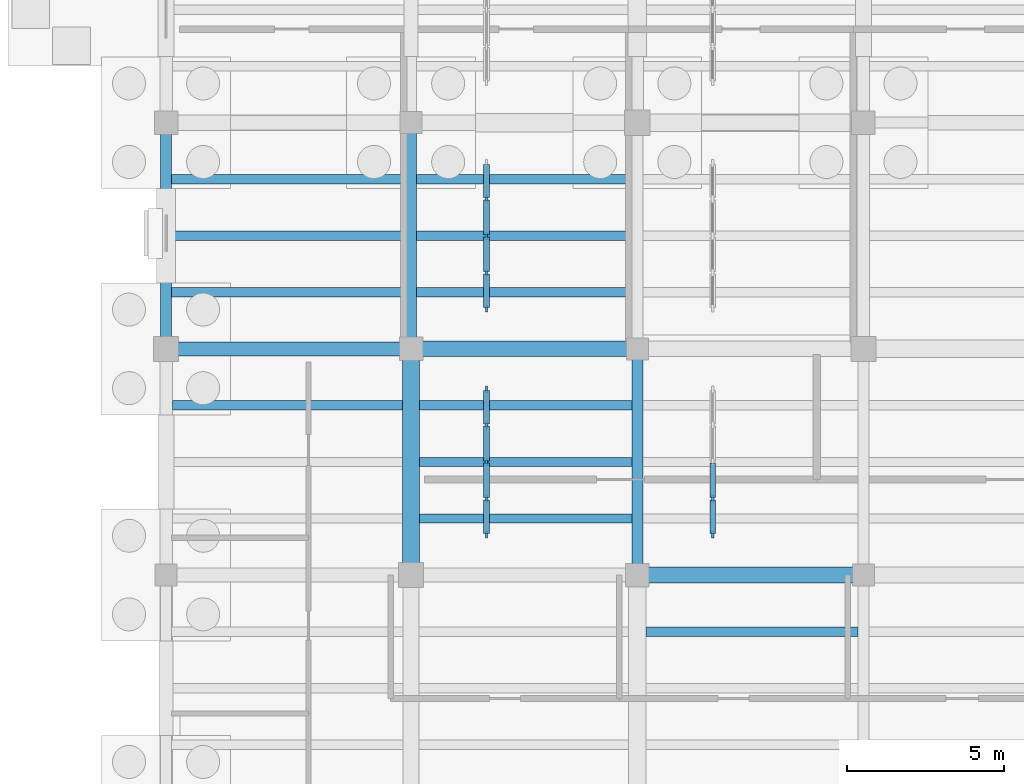
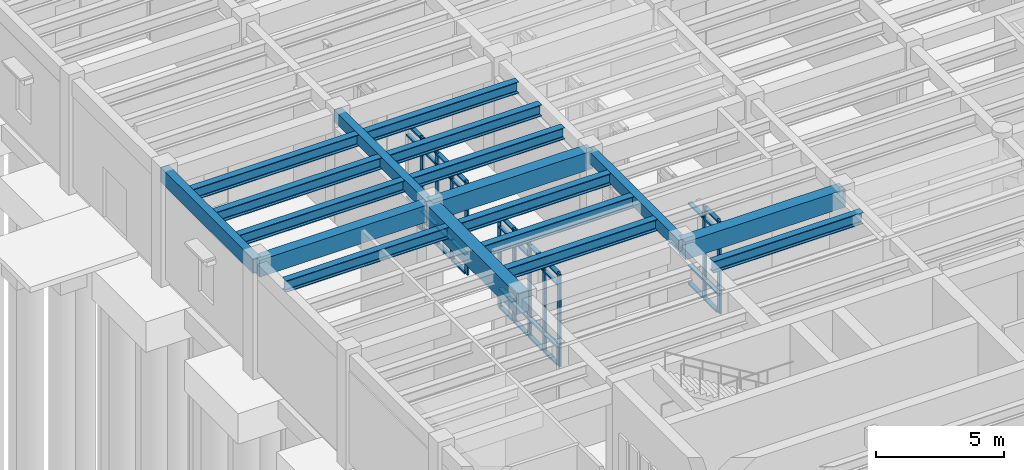
# One storey, part 22 of 100: 50 members, 18 beams, 3 elements without a shape of their own.
"""IFC4 building model written with IfcOpenShell, lengths in metres."""

from ifc_helpers import new_model, si_unit, direction, frame, origin, origin_2d, place, context, subcontext, project, spatial, rectangle, i_section, extrude, material, material_profile, profile_set, type_object, element, aggregate, save


model = new_model("IFC4")

# Units and contexts
model_context = context("Model", 3, precision=1e-05, world=origin(), true_north=direction((0.0, 1.0)))
body_context = subcontext(model_context, "Body", "Model", "MODEL_VIEW")
ifc_project = project(units=[si_unit("LENGTHUNIT", "METRE"), si_unit("AREAUNIT", "SQUARE_METRE"), si_unit("VOLUMEUNIT", "CUBIC_METRE"), si_unit("PLANEANGLEUNIT", "RADIAN"), si_unit("MASSUNIT", "GRAM", prefix="KILO")], contexts=[model_context])

# Site, building, storey
site_placement = place(None, origin())
site = spatial("IfcSite", under=ifc_project, at=site_placement, CompositionType="ELEMENT")
building_placement = place(site_placement, origin())
building = spatial("IfcBuilding", under=site, at=building_placement, Name="Mithqara Police Headquarters", CompositionType="ELEMENT")
storey_placement = place(building_placement, origin())
storey = spatial("IfcBuildingStorey", under=building, at=storey_placement, Name="L00", CompositionType="ELEMENT", Elevation=0.0)

# Beams
ifc_material_1 = material(Name="Steel S355JR", Category="steel")
ifc_material_profile_1 = material_profile(ifc_material_1, i_section(OverallWidth=0.300048828125, OverallDepth=0.550048828125, WebThickness=0.014892578125, FlangeThickness=0.029052734375, FilletRadius=0.027099609375, at=origin_2d()), Name="HEB 550")
ifc_profile_set_1 = profile_set([ifc_material_profile_1], Name="Steel S355JR")
beam_type_1 = type_object("IfcBeamType", Name="BEAM HEB550", PredefinedType="BEAM", material=ifc_profile_set_1)
beam_1_placement = place(storey_placement, frame((0.199951171875, 84.0, 4.844970703125), z_axis=(1.0, 0.0, 0.0), x_axis=(0.0, 1.0, 0.0)))
element("IfcBeam", 1, at=beam_1_placement, inside=storey, type_object=beam_type_1, Name="L00 Composite Steel Joist 1-2/M.3", PredefinedType="BEAM", context=body_context, shape_type="SweptSolid", body=[
    extrude(i_section(OverallWidth=0.300048828125, OverallDepth=0.550048828125, WebThickness=0.014892578125, FlangeThickness=0.029052734375, FilletRadius=0.027099609375, at=origin_2d()), origin(), (0.0, 0.0, 1.0), 7.324951171875),
])
for number, where, z_axis, x_axis, name in (
    (2, (0.175048828125, 87.60009765625, 4.844970703125), (1.0, 0.0, 0.0), (0.0, 1.0, 0.0), "L00 Composite Steel Joist 1-2/N.1"),
    (3, (0.175048828125, 89.39990234375, 4.844970703125), (1.0, 0.0, 0.0), (0.0, 1.0, 0.0), "L00 Composite Steel Joist 1-2/N.2"),
    (4, (0.175048828125, 91.199951171875, 4.844970703125), (1.0, 0.0, 0.0), (0.0, 1.0, 0.0), "L00 Composite Steel Joist 1-2/N.3"),
):
    element("IfcBeam", number, at=place(storey_placement, frame(where, z_axis=z_axis, x_axis=x_axis)), inside=storey, type_object=beam_type_1, Name=name, PredefinedType="BEAM", context=body_context, shape_type="SweptSolid", body=[
        extrude(i_section(OverallWidth=0.300048828125, OverallDepth=0.550048828125, WebThickness=0.014892578125, FlangeThickness=0.029052734375, FilletRadius=0.027099609375, at=origin_2d()), origin(), (0.0, 0.0, 1.0), 7.449951171875),
    ])
for number, where, z_axis, x_axis, name in (
    (5, (8.074951171875, 80.39990234375, 4.844970703125), (1.0, 0.0, 0.0), (0.0, 1.0, 0.0), "L00 Composite Steel Joist 2-3/M.1"),
    (6, (8.074951171875, 82.199951171875, 4.844970703125), (1.0, 0.0, 0.0), (0.0, 1.0, 0.0), "L00 Composite Steel Joist 2-3/M.2"),
    (7, (8.074951171875, 84.0, 4.844970703125), (1.0, 0.0, 0.0), (0.0, 1.0, 0.0), "L00 Composite Steel Joist 2-3/M.3"),
):
    element("IfcBeam", number, at=place(storey_placement, frame(where, z_axis=z_axis, x_axis=x_axis)), inside=storey, type_object=beam_type_1, Name=name, PredefinedType="BEAM", context=body_context, shape_type="SweptSolid", body=[
        extrude(i_section(OverallWidth=0.300048828125, OverallDepth=0.550048828125, WebThickness=0.014892578125, FlangeThickness=0.029052734375, FilletRadius=0.027099609375, at=origin_2d()), origin(), (0.0, 0.0, 1.0), 6.75),
    ])
for number, where, z_axis, x_axis, name in (
    (8, (7.97509765625, 87.60009765625, 4.844970703125), (1.0, 0.0, 0.0), (0.0, 1.0, 0.0), "L00 Composite Steel Joist 2-3/N.1"),
    (9, (7.97509765625, 89.39990234375, 4.844970703125), (1.0, 0.0, 0.0), (0.0, 1.0, 0.0), "L00 Composite Steel Joist 2-3/N.2"),
    (10, (7.97509765625, 91.199951171875, 4.844970703125), (1.0, 0.0, 0.0), (0.0, 1.0, 0.0), "L00 Composite Steel Joist 2-3/N.3"),
):
    element("IfcBeam", number, at=place(storey_placement, frame(where, z_axis=z_axis, x_axis=x_axis)), inside=storey, type_object=beam_type_1, Name=name, PredefinedType="BEAM", context=body_context, shape_type="SweptSolid", body=[
        extrude(i_section(OverallWidth=0.300048828125, OverallDepth=0.550048828125, WebThickness=0.014892578125, FlangeThickness=0.029052734375, FilletRadius=0.027099609375, at=origin_2d()), origin(), (0.0, 0.0, 1.0), 6.849853515625),
    ])
beam_2_placement = place(storey_placement, frame((15.27490234375, 76.800048828125, 4.844970703125), z_axis=(1.0, 0.0, 0.0), x_axis=(0.0, 1.0, 0.0)))
element("IfcBeam", 11, at=beam_2_placement, inside=storey, type_object=beam_type_1, Name="L00 Composite Steel Joist 3-4/L.3", PredefinedType="BEAM", context=body_context, shape_type="SweptSolid", body=[
    extrude(i_section(OverallWidth=0.300048828125, OverallDepth=0.550048828125, WebThickness=0.014892578125, FlangeThickness=0.029052734375, FilletRadius=0.027099609375, at=origin_2d()), origin(), (0.0, 0.0, 1.0), 6.75),
])
ifc_material_2 = material(Name="Concrete C40/50", Category="concrete")
ifc_material_profile_2 = material_profile(ifc_material_2, rectangle(XDim=0.35009765625, YDim=0.550048828125, at=origin_2d()), Name="RC 350x550")
ifc_profile_set_2 = profile_set([ifc_material_profile_2], Name="Concrete C40/50")
beam_type_2 = type_object("IfcBeamType", Name="BEAM RC350X550", PredefinedType="BEAM", material=ifc_profile_set_2)
for number, where, z_axis, x_axis, name in (
    (12, (7.800048828125, 85.800048828125, 4.844970703125), (0.0, 1.0, 0.0), (-1.0, 0.0, 0.0), "L00 Girder 2/N-P"),
    (13, (15.0, 78.60009765625, 4.844970703125), (0.0, 1.0, 0.0), (-1.0, 0.0, 0.0), "L00 Girder 3/M-N"),
):
    element("IfcBeam", number, at=place(storey_placement, frame(where, z_axis=z_axis, x_axis=x_axis)), inside=storey, type_object=beam_type_2, Name=name, PredefinedType="BEAM", context=body_context, shape_type="SweptSolid", body=[
        extrude(rectangle(XDim=0.35009765625, YDim=0.550048828125, at=origin_2d()), origin(), (0.0, 0.0, 1.0), 7.199951171875),
    ])
ifc_material_profile_3 = material_profile(ifc_material_2, rectangle(XDim=0.449951171875, YDim=0.800048828125, at=origin_2d()), Name="RC 450x800")
ifc_profile_set_3 = profile_set([ifc_material_profile_3], Name="Concrete C40/50")
beam_type_3 = type_object("IfcBeamType", Name="BEAM RC450X800", PredefinedType="BEAM", material=ifc_profile_set_3)
beam_3_placement = place(storey_placement, frame((0.0, 85.800048828125, 4.719970703125), z_axis=(1.0, 0.0, 0.0), x_axis=(0.0, 1.0, 0.0)))
element("IfcBeam", 14, at=beam_3_placement, inside=storey, type_object=beam_type_3, Name="L00 Girder 1-2/N", PredefinedType="BEAM", context=body_context, shape_type="SweptSolid", body=[
    extrude(rectangle(XDim=0.449951171875, YDim=0.800048828125, at=origin_2d()), origin(), (0.0, 0.0, 1.0), 7.800048828125),
])
ifc_material_profile_4 = material_profile(ifc_material_2, rectangle(XDim=0.5, YDim=0.85009765625, at=origin_2d()), Name="RC 500x850")
ifc_profile_set_4 = profile_set([ifc_material_profile_4], Name="Concrete C40/50")
beam_type_4 = type_object("IfcBeamType", Name="BEAM RC500X850", PredefinedType="BEAM", material=ifc_profile_set_4)
for number, where, z_axis, x_axis, name in (
    (15, (7.800048828125, 85.800048828125, 4.695068359375), (1.0, 0.0, 0.0), (0.0, 1.0, 0.0), "L00 Girder 2-3/N"),
    (16, (15.0, 78.60009765625, 4.695068359375), (1.0, 0.0, 0.0), (0.0, 1.0, 0.0), "L00 Girder 3-4/M"),
):
    element("IfcBeam", number, at=place(storey_placement, frame(where, z_axis=z_axis, x_axis=x_axis)), inside=storey, type_object=beam_type_4, Name=name, PredefinedType="BEAM", context=body_context, shape_type="SweptSolid", body=[
        extrude(rectangle(XDim=0.5, YDim=0.85009765625, at=origin_2d()), origin(), (0.0, 0.0, 1.0), 7.199951171875),
    ])
ifc_material_3 = material(Name="Concrete C50/60", Category="concrete")
ifc_material_profile_5 = material_profile(ifc_material_3, rectangle(XDim=0.550048828125, YDim=1.0, at=origin_2d()), Name="RC 550x1000")
ifc_profile_set_5 = profile_set([ifc_material_profile_5], Name="Concrete C50/60")
beam_type_5 = type_object("IfcBeamType", Name="BEAM RC550X1000", PredefinedType="BEAM", material=ifc_profile_set_5)
beam_4_placement = place(storey_placement, frame((7.800048828125, 78.60009765625, 4.6201171875), z_axis=(0.0, 1.0, 0.0), x_axis=(-1.0, 0.0, 0.0)))
element("IfcBeam", 17, at=beam_4_placement, inside=storey, type_object=beam_type_5, Name="L00 Girder 2/M-N", PredefinedType="BEAM", context=body_context, shape_type="SweptSolid", body=[
    extrude(rectangle(XDim=0.550048828125, YDim=1.0, at=origin_2d()), origin(), (0.0, 0.0, 1.0), 7.199951171875),
])

# Curtain wall, members
ifc_material_4 = material(Name="Bronze anodised aluminium 6063-T6", Category="aluminium")
curtain_wall_type = type_object("IfcCurtainWallType", Name="CURTAIN WALL 4700X4400", PredefinedType="USERDEFINED", material=ifc_material_4)
curtain_wall_1_placement = place(storey_placement, origin())
curtain_wall_1 = element("IfcCurtainWall", 18, at=curtain_wall_1_placement, inside=storey, type_object=curtain_wall_type, Name="L00 Unitised Glazing CW-14 (CW-INT-L00-X01-Y11-0)", ObjectType="UNITISED GLAZING", PredefinedType="USERDEFINED")
ifc_material_profile_6 = material_profile(ifc_material_4, rectangle(XDim=0.074951171875, YDim=0.219970703125, at=origin_2d()), Name="CWM 75x220")
ifc_profile_set_6 = profile_set([ifc_material_profile_6], Name="Bronze anodised aluminium 6063-T6")
member_type_1 = type_object("IfcMemberType", Name="CWMULLION 75X220", PredefinedType="MULLION", material=ifc_profile_set_6)
member_1_placement = place(storey_placement, frame((10.199951171875, 79.887451171875, 0.0), z_axis=(0.0, 0.0, 1.0), x_axis=(-1.0, 0.0, 0.0)))
member_1 = element("IfcMember", 19, at=member_1_placement, type_object=member_type_1, Name="CW-14 mullion 1", PredefinedType="MULLION", context=body_context, shape_type="SweptSolid", body=[
    extrude(rectangle(XDim=0.074951171875, YDim=0.219970703125, at=origin_2d()), origin(), (0.0, 0.0, 1.0), 4.39990234375),
])
member_2_placement = place(storey_placement, frame((10.199951171875, 81.02490234375, 0.0), z_axis=(0.0, 0.0, 1.0), x_axis=(-1.0, 0.0, 0.0)))
member_2 = element("IfcMember", 20, at=member_2_placement, type_object=member_type_1, Name="CW-14 mullion 2", PredefinedType="MULLION", context=body_context, shape_type="SweptSolid", body=[
    extrude(rectangle(XDim=0.074951171875, YDim=0.219970703125, at=origin_2d()), origin(), (0.0, 0.0, 1.0), 4.39990234375),
])
member_3_placement = place(storey_placement, frame((10.199951171875, 82.199951171875, 0.0), z_axis=(0.0, 0.0, 1.0), x_axis=(-1.0, 0.0, 0.0)))
member_3 = element("IfcMember", 21, at=member_3_placement, type_object=member_type_1, Name="CW-14 mullion 3", PredefinedType="MULLION", context=body_context, shape_type="SweptSolid", body=[
    extrude(rectangle(XDim=0.074951171875, YDim=0.219970703125, at=origin_2d()), origin(), (0.0, 0.0, 1.0), 4.39990234375),
])
member_4_placement = place(storey_placement, frame((10.199951171875, 83.375, 0.0), z_axis=(0.0, 0.0, 1.0), x_axis=(-1.0, 0.0, 0.0)))
member_4 = element("IfcMember", 22, at=member_4_placement, type_object=member_type_1, Name="CW-14 mullion 4", PredefinedType="MULLION", context=body_context, shape_type="SweptSolid", body=[
    extrude(rectangle(XDim=0.074951171875, YDim=0.219970703125, at=origin_2d()), origin(), (0.0, 0.0, 1.0), 4.39990234375),
])
member_5_placement = place(storey_placement, frame((10.199951171875, 84.512451171875, 0.0), z_axis=(0.0, 0.0, 1.0), x_axis=(-1.0, 0.0, 0.0)))
member_5 = element("IfcMember", 23, at=member_5_placement, type_object=member_type_1, Name="CW-14 mullion 5", PredefinedType="MULLION", context=body_context, shape_type="SweptSolid", body=[
    extrude(rectangle(XDim=0.074951171875, YDim=0.219970703125, at=origin_2d()), origin(), (0.0, 0.0, 1.0), 4.39990234375),
])

curtain_wall_2_placement = place(storey_placement, origin())
curtain_wall_2 = element("IfcCurtainWall", 24, at=curtain_wall_2_placement, inside=storey, type_object=curtain_wall_type, Name="L00 Unitised Glazing CW-14 (CW-INT-L00-X01-Y12-0)", ObjectType="UNITISED GLAZING", PredefinedType="USERDEFINED")
member_6_placement = place(storey_placement, frame((10.199951171875, 87.08740234375, 0.0), z_axis=(0.0, 0.0, 1.0), x_axis=(-1.0, 0.0, 0.0)))
member_6 = element("IfcMember", 25, at=member_6_placement, type_object=member_type_1, Name="CW-14 mullion 1", PredefinedType="MULLION", context=body_context, shape_type="SweptSolid", body=[
    extrude(rectangle(XDim=0.074951171875, YDim=0.219970703125, at=origin_2d()), origin(), (0.0, 0.0, 1.0), 4.39990234375),
])
member_7_placement = place(storey_placement, frame((10.199951171875, 88.22509765625, 0.0), z_axis=(0.0, 0.0, 1.0), x_axis=(-1.0, 0.0, 0.0)))
member_7 = element("IfcMember", 26, at=member_7_placement, type_object=member_type_1, Name="CW-14 mullion 2", PredefinedType="MULLION", context=body_context, shape_type="SweptSolid", body=[
    extrude(rectangle(XDim=0.074951171875, YDim=0.219970703125, at=origin_2d()), origin(), (0.0, 0.0, 1.0), 4.39990234375),
])
member_8_placement = place(storey_placement, frame((10.199951171875, 89.39990234375, 0.0), z_axis=(0.0, 0.0, 1.0), x_axis=(-1.0, 0.0, 0.0)))
member_8 = element("IfcMember", 27, at=member_8_placement, type_object=member_type_1, Name="CW-14 mullion 3", PredefinedType="MULLION", context=body_context, shape_type="SweptSolid", body=[
    extrude(rectangle(XDim=0.074951171875, YDim=0.219970703125, at=origin_2d()), origin(), (0.0, 0.0, 1.0), 4.39990234375),
])
member_9_placement = place(storey_placement, frame((10.199951171875, 90.574951171875, 0.0), z_axis=(0.0, 0.0, 1.0), x_axis=(-1.0, 0.0, 0.0)))
member_9 = element("IfcMember", 28, at=member_9_placement, type_object=member_type_1, Name="CW-14 mullion 4", PredefinedType="MULLION", context=body_context, shape_type="SweptSolid", body=[
    extrude(rectangle(XDim=0.074951171875, YDim=0.219970703125, at=origin_2d()), origin(), (0.0, 0.0, 1.0), 4.39990234375),
])

curtain_wall_3_placement = place(storey_placement, origin())
curtain_wall_3 = element("IfcCurtainWall", 29, at=curtain_wall_3_placement, inside=storey, type_object=curtain_wall_type, Name="L00 Unitised Glazing CW-14 (CW-INT-L00-X02-Y11-0)", ObjectType="UNITISED GLAZING", PredefinedType="USERDEFINED")
member_10_placement = place(storey_placement, frame((17.39990234375, 79.887451171875, 0.0), z_axis=(0.0, 0.0, 1.0), x_axis=(-1.0, 0.0, 0.0)))
member_10 = element("IfcMember", 30, at=member_10_placement, type_object=member_type_1, Name="CW-14 mullion 1", PredefinedType="MULLION", context=body_context, shape_type="SweptSolid", body=[
    extrude(rectangle(XDim=0.074951171875, YDim=0.219970703125, at=origin_2d()), origin(), (0.0, 0.0, 1.0), 4.39990234375),
])
member_11_placement = place(storey_placement, frame((17.39990234375, 81.02490234375, 0.0), z_axis=(0.0, 0.0, 1.0), x_axis=(-1.0, 0.0, 0.0)))
member_11 = element("IfcMember", 31, at=member_11_placement, type_object=member_type_1, Name="CW-14 mullion 2", PredefinedType="MULLION", context=body_context, shape_type="SweptSolid", body=[
    extrude(rectangle(XDim=0.074951171875, YDim=0.219970703125, at=origin_2d()), origin(), (0.0, 0.0, 1.0), 4.39990234375),
])

# Member
ifc_material_profile_7 = material_profile(ifc_material_4, rectangle(XDim=0.179931640625, YDim=0.074951171875, at=origin_2d()), Name="CWT 180x75")
ifc_profile_set_7 = profile_set([ifc_material_profile_7], Name="Bronze anodised aluminium 6063-T6")
member_type_2 = type_object("IfcMemberType", Name="CWTRANSOM 180X75", PredefinedType="USERDEFINED", material=ifc_profile_set_7)
member_12_placement = place(storey_placement, frame((10.199951171875, 79.925048828125, 0.03759765625), z_axis=(0.0, 1.0, 0.0), x_axis=(-1.0, 0.0, 0.0)))
member_12 = element("IfcMember", 32, at=member_12_placement, type_object=member_type_2, Name="CW-14 transom 1.1", ObjectType="TRANSOM", PredefinedType="USERDEFINED", context=body_context, shape_type="SweptSolid", body=[
    extrude(rectangle(XDim=0.179931640625, YDim=0.074951171875, at=origin_2d()), origin(), (0.0, 0.0, 1.0), 1.0625),
])

member_13_placement = place(storey_placement, frame((10.199951171875, 79.925048828125, 0.89990234375), z_axis=(0.0, 1.0, 0.0), x_axis=(-1.0, 0.0, 0.0)))
member_13 = element("IfcMember", 33, at=member_13_placement, type_object=member_type_2, Name="CW-14 transom 1.2", ObjectType="TRANSOM", PredefinedType="USERDEFINED", context=body_context, shape_type="SweptSolid", body=[
    extrude(rectangle(XDim=0.179931640625, YDim=0.074951171875, at=origin_2d()), origin(), (0.0, 0.0, 1.0), 1.0625),
])

member_14_placement = place(storey_placement, frame((10.199951171875, 79.925048828125, 3.85009765625), z_axis=(0.0, 1.0, 0.0), x_axis=(-1.0, 0.0, 0.0)))
member_14 = element("IfcMember", 34, at=member_14_placement, type_object=member_type_2, Name="CW-14 transom 1.3", ObjectType="TRANSOM", PredefinedType="USERDEFINED", context=body_context, shape_type="SweptSolid", body=[
    extrude(rectangle(XDim=0.179931640625, YDim=0.074951171875, at=origin_2d()), origin(), (0.0, 0.0, 1.0), 1.0625),
])

member_15_placement = place(storey_placement, frame((10.199951171875, 79.925048828125, 4.362548828125), z_axis=(0.0, 1.0, 0.0), x_axis=(-1.0, 0.0, 0.0)))
member_15 = element("IfcMember", 35, at=member_15_placement, type_object=member_type_2, Name="CW-14 transom 1.4", ObjectType="TRANSOM", PredefinedType="USERDEFINED", context=body_context, shape_type="SweptSolid", body=[
    extrude(rectangle(XDim=0.179931640625, YDim=0.074951171875, at=origin_2d()), origin(), (0.0, 0.0, 1.0), 1.0625),
])

member_16_placement = place(storey_placement, frame((10.199951171875, 81.0625, 0.03759765625), z_axis=(0.0, 1.0, 0.0), x_axis=(-1.0, 0.0, 0.0)))
member_16 = element("IfcMember", 36, at=member_16_placement, type_object=member_type_2, Name="CW-14 transom 2.1", ObjectType="TRANSOM", PredefinedType="USERDEFINED", context=body_context, shape_type="SweptSolid", body=[
    extrude(rectangle(XDim=0.179931640625, YDim=0.074951171875, at=origin_2d()), origin(), (0.0, 0.0, 1.0), 1.10009765625),
])

member_17_placement = place(storey_placement, frame((10.199951171875, 81.0625, 0.89990234375), z_axis=(0.0, 1.0, 0.0), x_axis=(-1.0, 0.0, 0.0)))
member_17 = element("IfcMember", 37, at=member_17_placement, type_object=member_type_2, Name="CW-14 transom 2.2", ObjectType="TRANSOM", PredefinedType="USERDEFINED", context=body_context, shape_type="SweptSolid", body=[
    extrude(rectangle(XDim=0.179931640625, YDim=0.074951171875, at=origin_2d()), origin(), (0.0, 0.0, 1.0), 1.10009765625),
])

member_18_placement = place(storey_placement, frame((10.199951171875, 81.0625, 3.85009765625), z_axis=(0.0, 1.0, 0.0), x_axis=(-1.0, 0.0, 0.0)))
member_18 = element("IfcMember", 38, at=member_18_placement, type_object=member_type_2, Name="CW-14 transom 2.3", ObjectType="TRANSOM", PredefinedType="USERDEFINED", context=body_context, shape_type="SweptSolid", body=[
    extrude(rectangle(XDim=0.179931640625, YDim=0.074951171875, at=origin_2d()), origin(), (0.0, 0.0, 1.0), 1.10009765625),
])

member_19_placement = place(storey_placement, frame((10.199951171875, 81.0625, 4.362548828125), z_axis=(0.0, 1.0, 0.0), x_axis=(-1.0, 0.0, 0.0)))
member_19 = element("IfcMember", 39, at=member_19_placement, type_object=member_type_2, Name="CW-14 transom 2.4", ObjectType="TRANSOM", PredefinedType="USERDEFINED", context=body_context, shape_type="SweptSolid", body=[
    extrude(rectangle(XDim=0.179931640625, YDim=0.074951171875, at=origin_2d()), origin(), (0.0, 0.0, 1.0), 1.10009765625),
])

member_20_placement = place(storey_placement, frame((10.199951171875, 82.237548828125, 0.03759765625), z_axis=(0.0, 1.0, 0.0), x_axis=(-1.0, 0.0, 0.0)))
member_20 = element("IfcMember", 40, at=member_20_placement, type_object=member_type_2, Name="CW-14 transom 3.1", ObjectType="TRANSOM", PredefinedType="USERDEFINED", context=body_context, shape_type="SweptSolid", body=[
    extrude(rectangle(XDim=0.179931640625, YDim=0.074951171875, at=origin_2d()), origin(), (0.0, 0.0, 1.0), 1.099853515625),
])

member_21_placement = place(storey_placement, frame((10.199951171875, 82.237548828125, 0.89990234375), z_axis=(0.0, 1.0, 0.0), x_axis=(-1.0, 0.0, 0.0)))
member_21 = element("IfcMember", 41, at=member_21_placement, type_object=member_type_2, Name="CW-14 transom 3.2", ObjectType="TRANSOM", PredefinedType="USERDEFINED", context=body_context, shape_type="SweptSolid", body=[
    extrude(rectangle(XDim=0.179931640625, YDim=0.074951171875, at=origin_2d()), origin(), (0.0, 0.0, 1.0), 1.099853515625),
])

member_22_placement = place(storey_placement, frame((10.199951171875, 82.237548828125, 3.85009765625), z_axis=(0.0, 1.0, 0.0), x_axis=(-1.0, 0.0, 0.0)))
member_22 = element("IfcMember", 42, at=member_22_placement, type_object=member_type_2, Name="CW-14 transom 3.3", ObjectType="TRANSOM", PredefinedType="USERDEFINED", context=body_context, shape_type="SweptSolid", body=[
    extrude(rectangle(XDim=0.179931640625, YDim=0.074951171875, at=origin_2d()), origin(), (0.0, 0.0, 1.0), 1.099853515625),
])

member_23_placement = place(storey_placement, frame((10.199951171875, 82.237548828125, 4.362548828125), z_axis=(0.0, 1.0, 0.0), x_axis=(-1.0, 0.0, 0.0)))
member_23 = element("IfcMember", 43, at=member_23_placement, type_object=member_type_2, Name="CW-14 transom 3.4", ObjectType="TRANSOM", PredefinedType="USERDEFINED", context=body_context, shape_type="SweptSolid", body=[
    extrude(rectangle(XDim=0.179931640625, YDim=0.074951171875, at=origin_2d()), origin(), (0.0, 0.0, 1.0), 1.099853515625),
])

member_24_placement = place(storey_placement, frame((10.199951171875, 83.41259765625, 0.03759765625), z_axis=(0.0, 1.0, 0.0), x_axis=(-1.0, 0.0, 0.0)))
member_24 = element("IfcMember", 44, at=member_24_placement, type_object=member_type_2, Name="CW-14 transom 4.1", ObjectType="TRANSOM", PredefinedType="USERDEFINED", context=body_context, shape_type="SweptSolid", body=[
    extrude(rectangle(XDim=0.179931640625, YDim=0.074951171875, at=origin_2d()), origin(), (0.0, 0.0, 1.0), 1.0625),
])

member_25_placement = place(storey_placement, frame((10.199951171875, 83.41259765625, 0.89990234375), z_axis=(0.0, 1.0, 0.0), x_axis=(-1.0, 0.0, 0.0)))
member_25 = element("IfcMember", 45, at=member_25_placement, type_object=member_type_2, Name="CW-14 transom 4.2", ObjectType="TRANSOM", PredefinedType="USERDEFINED", context=body_context, shape_type="SweptSolid", body=[
    extrude(rectangle(XDim=0.179931640625, YDim=0.074951171875, at=origin_2d()), origin(), (0.0, 0.0, 1.0), 1.0625),
])

member_26_placement = place(storey_placement, frame((10.199951171875, 83.41259765625, 3.85009765625), z_axis=(0.0, 1.0, 0.0), x_axis=(-1.0, 0.0, 0.0)))
member_26 = element("IfcMember", 46, at=member_26_placement, type_object=member_type_2, Name="CW-14 transom 4.3", ObjectType="TRANSOM", PredefinedType="USERDEFINED", context=body_context, shape_type="SweptSolid", body=[
    extrude(rectangle(XDim=0.179931640625, YDim=0.074951171875, at=origin_2d()), origin(), (0.0, 0.0, 1.0), 1.0625),
])

member_27_placement = place(storey_placement, frame((10.199951171875, 83.41259765625, 4.362548828125), z_axis=(0.0, 1.0, 0.0), x_axis=(-1.0, 0.0, 0.0)))
member_27 = element("IfcMember", 47, at=member_27_placement, type_object=member_type_2, Name="CW-14 transom 4.4", ObjectType="TRANSOM", PredefinedType="USERDEFINED", context=body_context, shape_type="SweptSolid", body=[
    extrude(rectangle(XDim=0.179931640625, YDim=0.074951171875, at=origin_2d()), origin(), (0.0, 0.0, 1.0), 1.0625),
])

aggregate(curtain_wall_1, [member_1, member_2, member_3, member_4, member_5, member_12, member_13, member_14, member_15, member_16, member_17, member_18, member_19, member_20, member_21, member_22, member_23, member_24, member_25, member_26, member_27])

member_28_placement = place(storey_placement, frame((10.199951171875, 87.125, 0.03759765625), z_axis=(0.0, 1.0, 0.0), x_axis=(-1.0, 0.0, 0.0)))
member_28 = element("IfcMember", 48, at=member_28_placement, type_object=member_type_2, Name="CW-14 transom 1.1", ObjectType="TRANSOM", PredefinedType="USERDEFINED", context=body_context, shape_type="SweptSolid", body=[
    extrude(rectangle(XDim=0.179931640625, YDim=0.074951171875, at=origin_2d()), origin(), (0.0, 0.0, 1.0), 1.0625),
])

member_29_placement = place(storey_placement, frame((10.199951171875, 87.125, 0.89990234375), z_axis=(0.0, 1.0, 0.0), x_axis=(-1.0, 0.0, 0.0)))
member_29 = element("IfcMember", 49, at=member_29_placement, type_object=member_type_2, Name="CW-14 transom 1.2", ObjectType="TRANSOM", PredefinedType="USERDEFINED", context=body_context, shape_type="SweptSolid", body=[
    extrude(rectangle(XDim=0.179931640625, YDim=0.074951171875, at=origin_2d()), origin(), (0.0, 0.0, 1.0), 1.0625),
])

member_30_placement = place(storey_placement, frame((10.199951171875, 87.125, 3.85009765625), z_axis=(0.0, 1.0, 0.0), x_axis=(-1.0, 0.0, 0.0)))
member_30 = element("IfcMember", 50, at=member_30_placement, type_object=member_type_2, Name="CW-14 transom 1.3", ObjectType="TRANSOM", PredefinedType="USERDEFINED", context=body_context, shape_type="SweptSolid", body=[
    extrude(rectangle(XDim=0.179931640625, YDim=0.074951171875, at=origin_2d()), origin(), (0.0, 0.0, 1.0), 1.0625),
])

member_31_placement = place(storey_placement, frame((10.199951171875, 87.125, 4.362548828125), z_axis=(0.0, 1.0, 0.0), x_axis=(-1.0, 0.0, 0.0)))
member_31 = element("IfcMember", 51, at=member_31_placement, type_object=member_type_2, Name="CW-14 transom 1.4", ObjectType="TRANSOM", PredefinedType="USERDEFINED", context=body_context, shape_type="SweptSolid", body=[
    extrude(rectangle(XDim=0.179931640625, YDim=0.074951171875, at=origin_2d()), origin(), (0.0, 0.0, 1.0), 1.0625),
])

member_32_placement = place(storey_placement, frame((10.199951171875, 88.262451171875, 0.03759765625), z_axis=(0.0, 1.0, 0.0), x_axis=(-1.0, 0.0, 0.0)))
member_32 = element("IfcMember", 52, at=member_32_placement, type_object=member_type_2, Name="CW-14 transom 2.1", ObjectType="TRANSOM", PredefinedType="USERDEFINED", context=body_context, shape_type="SweptSolid", body=[
    extrude(rectangle(XDim=0.179931640625, YDim=0.074951171875, at=origin_2d()), origin(), (0.0, 0.0, 1.0), 1.10009765625),
])

member_33_placement = place(storey_placement, frame((10.199951171875, 88.262451171875, 0.89990234375), z_axis=(0.0, 1.0, 0.0), x_axis=(-1.0, 0.0, 0.0)))
member_33 = element("IfcMember", 53, at=member_33_placement, type_object=member_type_2, Name="CW-14 transom 2.2", ObjectType="TRANSOM", PredefinedType="USERDEFINED", context=body_context, shape_type="SweptSolid", body=[
    extrude(rectangle(XDim=0.179931640625, YDim=0.074951171875, at=origin_2d()), origin(), (0.0, 0.0, 1.0), 1.10009765625),
])

member_34_placement = place(storey_placement, frame((10.199951171875, 88.262451171875, 3.85009765625), z_axis=(0.0, 1.0, 0.0), x_axis=(-1.0, 0.0, 0.0)))
member_34 = element("IfcMember", 54, at=member_34_placement, type_object=member_type_2, Name="CW-14 transom 2.3", ObjectType="TRANSOM", PredefinedType="USERDEFINED", context=body_context, shape_type="SweptSolid", body=[
    extrude(rectangle(XDim=0.179931640625, YDim=0.074951171875, at=origin_2d()), origin(), (0.0, 0.0, 1.0), 1.10009765625),
])

member_35_placement = place(storey_placement, frame((10.199951171875, 88.262451171875, 4.362548828125), z_axis=(0.0, 1.0, 0.0), x_axis=(-1.0, 0.0, 0.0)))
member_35 = element("IfcMember", 55, at=member_35_placement, type_object=member_type_2, Name="CW-14 transom 2.4", ObjectType="TRANSOM", PredefinedType="USERDEFINED", context=body_context, shape_type="SweptSolid", body=[
    extrude(rectangle(XDim=0.179931640625, YDim=0.074951171875, at=origin_2d()), origin(), (0.0, 0.0, 1.0), 1.10009765625),
])

member_36_placement = place(storey_placement, frame((10.199951171875, 89.4375, 0.03759765625), z_axis=(0.0, 1.0, 0.0), x_axis=(-1.0, 0.0, 0.0)))
member_36 = element("IfcMember", 56, at=member_36_placement, type_object=member_type_2, Name="CW-14 transom 3.1", ObjectType="TRANSOM", PredefinedType="USERDEFINED", context=body_context, shape_type="SweptSolid", body=[
    extrude(rectangle(XDim=0.179931640625, YDim=0.074951171875, at=origin_2d()), origin(), (0.0, 0.0, 1.0), 1.10009765625),
])

member_37_placement = place(storey_placement, frame((10.199951171875, 89.4375, 0.89990234375), z_axis=(0.0, 1.0, 0.0), x_axis=(-1.0, 0.0, 0.0)))
member_37 = element("IfcMember", 57, at=member_37_placement, type_object=member_type_2, Name="CW-14 transom 3.2", ObjectType="TRANSOM", PredefinedType="USERDEFINED", context=body_context, shape_type="SweptSolid", body=[
    extrude(rectangle(XDim=0.179931640625, YDim=0.074951171875, at=origin_2d()), origin(), (0.0, 0.0, 1.0), 1.10009765625),
])

member_38_placement = place(storey_placement, frame((10.199951171875, 89.4375, 3.85009765625), z_axis=(0.0, 1.0, 0.0), x_axis=(-1.0, 0.0, 0.0)))
member_38 = element("IfcMember", 58, at=member_38_placement, type_object=member_type_2, Name="CW-14 transom 3.3", ObjectType="TRANSOM", PredefinedType="USERDEFINED", context=body_context, shape_type="SweptSolid", body=[
    extrude(rectangle(XDim=0.179931640625, YDim=0.074951171875, at=origin_2d()), origin(), (0.0, 0.0, 1.0), 1.10009765625),
])

member_39_placement = place(storey_placement, frame((10.199951171875, 89.4375, 4.362548828125), z_axis=(0.0, 1.0, 0.0), x_axis=(-1.0, 0.0, 0.0)))
member_39 = element("IfcMember", 59, at=member_39_placement, type_object=member_type_2, Name="CW-14 transom 3.4", ObjectType="TRANSOM", PredefinedType="USERDEFINED", context=body_context, shape_type="SweptSolid", body=[
    extrude(rectangle(XDim=0.179931640625, YDim=0.074951171875, at=origin_2d()), origin(), (0.0, 0.0, 1.0), 1.10009765625),
])

member_40_placement = place(storey_placement, frame((10.199951171875, 90.612548828125, 0.03759765625), z_axis=(0.0, 1.0, 0.0), x_axis=(-1.0, 0.0, 0.0)))
member_40 = element("IfcMember", 60, at=member_40_placement, type_object=member_type_2, Name="CW-14 transom 4.1", ObjectType="TRANSOM", PredefinedType="USERDEFINED", context=body_context, shape_type="SweptSolid", body=[
    extrude(rectangle(XDim=0.179931640625, YDim=0.074951171875, at=origin_2d()), origin(), (0.0, 0.0, 1.0), 1.0625),
])

member_41_placement = place(storey_placement, frame((10.199951171875, 90.612548828125, 0.89990234375), z_axis=(0.0, 1.0, 0.0), x_axis=(-1.0, 0.0, 0.0)))
member_41 = element("IfcMember", 61, at=member_41_placement, type_object=member_type_2, Name="CW-14 transom 4.2", ObjectType="TRANSOM", PredefinedType="USERDEFINED", context=body_context, shape_type="SweptSolid", body=[
    extrude(rectangle(XDim=0.179931640625, YDim=0.074951171875, at=origin_2d()), origin(), (0.0, 0.0, 1.0), 1.0625),
])

member_42_placement = place(storey_placement, frame((10.199951171875, 90.612548828125, 3.85009765625), z_axis=(0.0, 1.0, 0.0), x_axis=(-1.0, 0.0, 0.0)))
member_42 = element("IfcMember", 62, at=member_42_placement, type_object=member_type_2, Name="CW-14 transom 4.3", ObjectType="TRANSOM", PredefinedType="USERDEFINED", context=body_context, shape_type="SweptSolid", body=[
    extrude(rectangle(XDim=0.179931640625, YDim=0.074951171875, at=origin_2d()), origin(), (0.0, 0.0, 1.0), 1.0625),
])

member_43_placement = place(storey_placement, frame((10.199951171875, 90.612548828125, 4.362548828125), z_axis=(0.0, 1.0, 0.0), x_axis=(-1.0, 0.0, 0.0)))
member_43 = element("IfcMember", 63, at=member_43_placement, type_object=member_type_2, Name="CW-14 transom 4.4", ObjectType="TRANSOM", PredefinedType="USERDEFINED", context=body_context, shape_type="SweptSolid", body=[
    extrude(rectangle(XDim=0.179931640625, YDim=0.074951171875, at=origin_2d()), origin(), (0.0, 0.0, 1.0), 1.0625),
])

aggregate(curtain_wall_2, [member_6, member_7, member_8, member_9, member_28, member_29, member_30, member_31, member_32, member_33, member_34, member_35, member_36, member_37, member_38, member_39, member_40, member_41, member_42, member_43])

member_44_placement = place(storey_placement, frame((17.39990234375, 79.925048828125, 0.03759765625), z_axis=(0.0, 1.0, 0.0), x_axis=(-1.0, 0.0, 0.0)))
member_44 = element("IfcMember", 64, at=member_44_placement, type_object=member_type_2, Name="CW-14 transom 1.1", ObjectType="TRANSOM", PredefinedType="USERDEFINED", context=body_context, shape_type="SweptSolid", body=[
    extrude(rectangle(XDim=0.179931640625, YDim=0.074951171875, at=origin_2d()), origin(), (0.0, 0.0, 1.0), 1.0625),
])

member_45_placement = place(storey_placement, frame((17.39990234375, 79.925048828125, 0.89990234375), z_axis=(0.0, 1.0, 0.0), x_axis=(-1.0, 0.0, 0.0)))
member_45 = element("IfcMember", 65, at=member_45_placement, type_object=member_type_2, Name="CW-14 transom 1.2", ObjectType="TRANSOM", PredefinedType="USERDEFINED", context=body_context, shape_type="SweptSolid", body=[
    extrude(rectangle(XDim=0.179931640625, YDim=0.074951171875, at=origin_2d()), origin(), (0.0, 0.0, 1.0), 1.0625),
])

member_46_placement = place(storey_placement, frame((17.39990234375, 79.925048828125, 3.85009765625), z_axis=(0.0, 1.0, 0.0), x_axis=(-1.0, 0.0, 0.0)))
member_46 = element("IfcMember", 66, at=member_46_placement, type_object=member_type_2, Name="CW-14 transom 1.3", ObjectType="TRANSOM", PredefinedType="USERDEFINED", context=body_context, shape_type="SweptSolid", body=[
    extrude(rectangle(XDim=0.179931640625, YDim=0.074951171875, at=origin_2d()), origin(), (0.0, 0.0, 1.0), 1.0625),
])

member_47_placement = place(storey_placement, frame((17.39990234375, 79.925048828125, 4.362548828125), z_axis=(0.0, 1.0, 0.0), x_axis=(-1.0, 0.0, 0.0)))
member_47 = element("IfcMember", 67, at=member_47_placement, type_object=member_type_2, Name="CW-14 transom 1.4", ObjectType="TRANSOM", PredefinedType="USERDEFINED", context=body_context, shape_type="SweptSolid", body=[
    extrude(rectangle(XDim=0.179931640625, YDim=0.074951171875, at=origin_2d()), origin(), (0.0, 0.0, 1.0), 1.0625),
])

member_48_placement = place(storey_placement, frame((17.39990234375, 81.0625, 0.03759765625), z_axis=(0.0, 1.0, 0.0), x_axis=(-1.0, 0.0, 0.0)))
member_48 = element("IfcMember", 68, at=member_48_placement, type_object=member_type_2, Name="CW-14 transom 2.1", ObjectType="TRANSOM", PredefinedType="USERDEFINED", context=body_context, shape_type="SweptSolid", body=[
    extrude(rectangle(XDim=0.179931640625, YDim=0.074951171875, at=origin_2d()), origin(), (0.0, 0.0, 1.0), 1.10009765625),
])

member_49_placement = place(storey_placement, frame((17.39990234375, 81.0625, 0.89990234375), z_axis=(0.0, 1.0, 0.0), x_axis=(-1.0, 0.0, 0.0)))
member_49 = element("IfcMember", 69, at=member_49_placement, type_object=member_type_2, Name="CW-14 transom 2.2", ObjectType="TRANSOM", PredefinedType="USERDEFINED", context=body_context, shape_type="SweptSolid", body=[
    extrude(rectangle(XDim=0.179931640625, YDim=0.074951171875, at=origin_2d()), origin(), (0.0, 0.0, 1.0), 1.10009765625),
])

member_50_placement = place(storey_placement, frame((17.39990234375, 81.0625, 3.85009765625), z_axis=(0.0, 1.0, 0.0), x_axis=(-1.0, 0.0, 0.0)))
member_50 = element("IfcMember", 70, at=member_50_placement, type_object=member_type_2, Name="CW-14 transom 2.3", ObjectType="TRANSOM", PredefinedType="USERDEFINED", context=body_context, shape_type="SweptSolid", body=[
    extrude(rectangle(XDim=0.179931640625, YDim=0.074951171875, at=origin_2d()), origin(), (0.0, 0.0, 1.0), 1.10009765625),
])

aggregate(curtain_wall_3, [member_10, member_11, member_44, member_45, member_46, member_47, member_48, member_49, member_50])

# Beam
ifc_material_profile_8 = material_profile(ifc_material_2, rectangle(XDim=0.35009765625, YDim=0.699951171875, at=origin_2d()), Name="SPB 350x700")
ifc_profile_set_8 = profile_set([ifc_material_profile_8], Name="Concrete C40/50")
beam_type_6 = type_object("IfcBeamType", Name="SPANDREL 350X700", PredefinedType="SPANDREL", material=ifc_profile_set_8)
beam_5_placement = place(storey_placement, frame((0.0, 85.800048828125, 4.77001953125), z_axis=(0.0, 1.0, 0.0), x_axis=(-1.0, 0.0, 0.0)))
element("IfcBeam", 71, at=beam_5_placement, inside=storey, type_object=beam_type_6, Name="L00 Girder 1/N-P", PredefinedType="SPANDREL", context=body_context, shape_type="SweptSolid", body=[
    extrude(rectangle(XDim=0.35009765625, YDim=0.699951171875, at=origin_2d()), origin(), (0.0, 0.0, 1.0), 7.199951171875),
])

save(model, "model.ifc")
